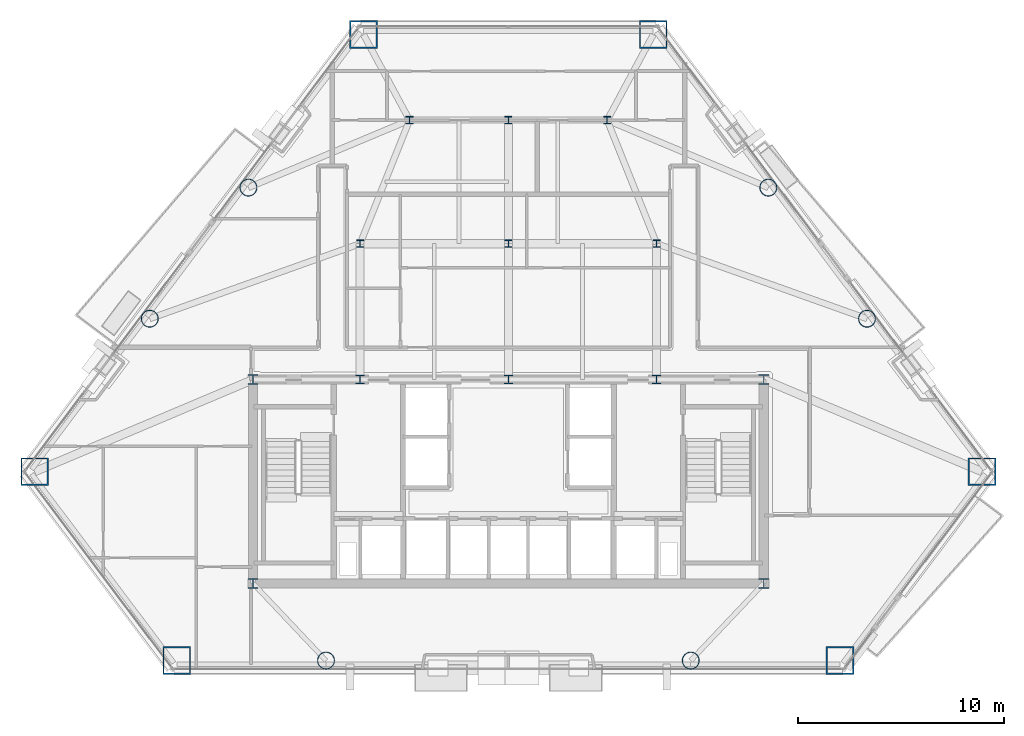
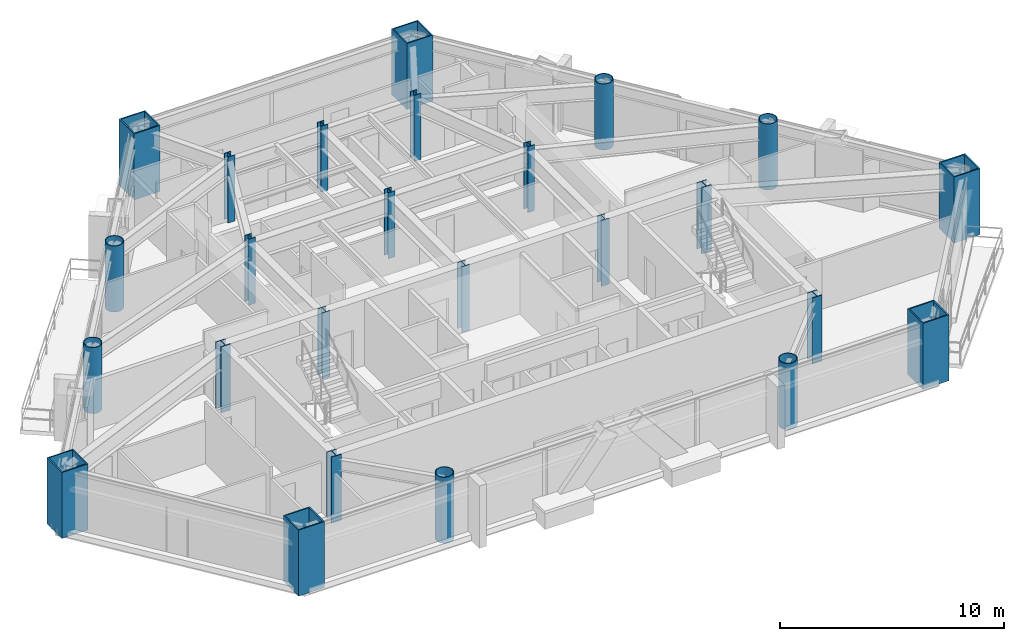
# One storey, part 1 of 11: 25 columns.
"""IFC4 building model written with IfcOpenShell, lengths in metres."""

from ifc_helpers import new_model, si_unit, direction, frame, origin, origin_2d, place, context, subcontext, project, spatial, hollow_rectangle, hollow_circle, i_section, extrude, material, material_profile, profile_set, type_object, element, save


model = new_model("IFC4")

# Units and contexts
model_context = context("Model", 3, precision=1e-05, world=origin(), true_north=direction((0.0, 1.0)))
body_context = subcontext(model_context, "Body", "Model", "MODEL_VIEW")
ifc_project = project(units=[si_unit("LENGTHUNIT", "METRE"), si_unit("AREAUNIT", "SQUARE_METRE"), si_unit("VOLUMEUNIT", "CUBIC_METRE"), si_unit("PLANEANGLEUNIT", "RADIAN"), si_unit("MASSUNIT", "GRAM", prefix="KILO")], contexts=[model_context])

# Site, building, storey
site_placement = place(None, origin())
site = spatial("IfcSite", under=ifc_project, at=site_placement, CompositionType="ELEMENT")
building_placement = place(site_placement, origin())
building = spatial("IfcBuilding", under=site, at=building_placement, Name="Talgorran Terracotta Tower", CompositionType="ELEMENT")
storey_placement = place(building_placement, frame((0.0, 0.0, 72.0)))
storey = spatial("IfcBuildingStorey", under=building, at=storey_placement, Name="L18", CompositionType="ELEMENT", Elevation=72.0)

# Columns
ifc_material_1 = material(Name="Steel S355 (300PLUS)", Category="steel")
ifc_material_profile_1 = material_profile(ifc_material_1, i_section(OverallWidth=0.35009765625, OverallDepth=0.366943359375, WebThickness=0.02490234375, FlangeThickness=0.031982421875, at=origin_2d()), Name="350WC258")
ifc_profile_set_1 = profile_set([ifc_material_profile_1], Name="Steel S355 (300PLUS)")
column_type_1 = type_object("IfcColumnType", Name="COL_350WC258", PredefinedType="COLUMN", material=ifc_profile_set_1)
for number, where, z_axis, x_axis, name in (
    (1, (-7.199951171875, 2.39990234375, 0.0), (0.0, 0.0, 1.0), (1.0, 0.0, 0.0), "L18 Interior Gravity Column IC1"),
    (2, (0.0, 2.39990234375, 0.0), (0.0, 0.0, 1.0), (1.0, 0.0, 0.0), "L18 Interior Gravity Column IC2"),
    (3, (7.199951171875, 2.39990234375, 0.0), (0.0, 0.0, 1.0), (1.0, 0.0, 0.0), "L18 Interior Gravity Column IC3"),
    (4, (-4.800048828125, 8.39990234375, 0.0), (0.0, 0.0, 1.0), (1.0, 0.0, 0.0), "L18 Interior Gravity Column IC4"),
    (5, (0.0, 8.39990234375, 0.0), (0.0, 0.0, 1.0), (1.0, 0.0, 0.0), "L18 Interior Gravity Column IC5"),
    (6, (4.800048828125, 8.39990234375, 0.0), (0.0, 0.0, 1.0), (1.0, 0.0, 0.0), "L18 Interior Gravity Column IC6"),
):
    element("IfcColumn", number, at=place(storey_placement, frame(where, z_axis=z_axis, x_axis=x_axis)), inside=storey, type_object=column_type_1, Name=name, PredefinedType="COLUMN", context=body_context, shape_type="SweptSolid", body=[
        extrude(i_section(OverallWidth=0.35009765625, OverallDepth=0.366943359375, WebThickness=0.02490234375, FlangeThickness=0.031982421875, at=origin_2d()), origin(), (0.0, 0.0, 1.0), 3.60009765625),
    ])
ifc_material_profile_2 = material_profile(ifc_material_1, i_section(OverallWidth=0.5, OverallDepth=0.48193359375, WebThickness=0.0400390625, FlangeThickness=0.044921875, at=origin_2d()), Name="500WC440")
ifc_profile_set_2 = profile_set([ifc_material_profile_2], Name="Steel S355 (300PLUS)")
column_type_2 = type_object("IfcColumnType", Name="COL_500WC440", PredefinedType="COLUMN", material=ifc_profile_set_2)
for number, where, z_axis, x_axis, name in (
    (7, (-12.39990234375, -14.10009765625, 0.0), (0.0, 0.0, 1.0), (1.0, 0.0, 0.0), "L18 Core Boundary Column CC1"),
    (8, (12.39990234375, -14.10009765625, 0.0), (0.0, 0.0, 1.0), (1.0, 0.0, 0.0), "L18 Core Boundary Column CC2"),
    (9, (12.39990234375, -4.199951171875, 0.0), (0.0, 0.0, 1.0), (1.0, 0.0, 0.0), "L18 Core Boundary Column CC3"),
    (10, (-12.39990234375, -4.199951171875, 0.0), (0.0, 0.0, 1.0), (1.0, 0.0, 0.0), "L18 Core Boundary Column CC4"),
):
    element("IfcColumn", number, at=place(storey_placement, frame(where, z_axis=z_axis, x_axis=x_axis)), inside=storey, type_object=column_type_2, Name=name, PredefinedType="COLUMN", context=body_context, shape_type="SweptSolid", body=[
        extrude(i_section(OverallWidth=0.5, OverallDepth=0.48193359375, WebThickness=0.0400390625, FlangeThickness=0.044921875, at=origin_2d()), origin(), (0.0, 0.0, 1.0), 3.60009765625),
    ])
ifc_material_2 = material(Name="Steel Grade 350 (350L0)", Category="steel")
ifc_material_profile_3 = material_profile(ifc_material_2, hollow_rectangle(XDim=1.35009765625, YDim=1.35009765625, WallThickness=0.06494140625, at=origin_2d()), Name="CFT1350X1350X65")
ifc_profile_set_3 = profile_set([ifc_material_profile_3], Name="Steel Grade 350 (350L0)")
column_type_3 = type_object("IfcColumnType", Name="COL_CFT_1350", PredefinedType="COLUMN", material=ifc_profile_set_3)
for number, where, z_axis, x_axis, name in (
    (11, (-23.005126953125, -8.6728515625, 0.0), (0.0, 0.0, 1.0), (1.0, 0.0, 0.0), "L18 Corner CFT Mega-Column MC1"),
    (12, (-16.1025390625, -17.8466796875, 0.0), (0.0, 0.0, 1.0), (1.0, 0.0, 0.0), "L18 Corner CFT Mega-Column MC2"),
    (13, (16.1025390625, -17.8466796875, 0.0), (0.0, 0.0, 1.0), (1.0, 0.0, 0.0), "L18 Corner CFT Mega-Column MC3"),
    (14, (23.005126953125, -8.6728515625, 0.0), (0.0, 0.0, 1.0), (1.0, 0.0, 0.0), "L18 Corner CFT Mega-Column MC4"),
    (15, (7.034423828125, 12.552734375, 0.0), (0.0, 0.0, 1.0), (1.0, 0.0, 0.0), "L18 Corner CFT Mega-Column MC5"),
    (16, (-7.034423828125, 12.552734375, 0.0), (0.0, 0.0, 1.0), (1.0, 0.0, 0.0), "L18 Corner CFT Mega-Column MC6"),
):
    element("IfcColumn", number, at=place(storey_placement, frame(where, z_axis=z_axis, x_axis=x_axis)), inside=storey, type_object=column_type_3, Name=name, PredefinedType="COLUMN", context=body_context, shape_type="SweptSolid", body=[
        extrude(hollow_rectangle(XDim=1.35009765625, YDim=1.35009765625, WallThickness=0.06494140625, at=origin_2d()), origin(), (0.0, 0.0, 1.0), 3.60009765625),
    ])
ifc_material_profile_4 = material_profile(ifc_material_2, hollow_circle(Radius=0.425048828125, WallThickness=0.0380859375, at=origin_2d()), Name="CHS850X38")
ifc_profile_set_4 = profile_set([ifc_material_profile_4], Name="Steel Grade 350 (350L0)")
column_type_4 = type_object("IfcColumnType", Name="COL_CHS_850", PredefinedType="COLUMN", material=ifc_profile_set_4)
for number, where, z_axis, x_axis, name in (
    (17, (-8.8564453125, -17.8466796875, 0.0), (0.0, 0.0, 1.0), (1.0, 0.0, 0.0), "L18 Facet Perimeter Column FC1"),
    (18, (8.8564453125, -17.8466796875, 0.0), (0.0, 0.0, 1.0), (1.0, 0.0, 0.0), "L18 Facet Perimeter Column FC2"),
    (19, (17.41552734375, -1.243896484375, 0.0), (0.0, 0.0, 1.0), (1.0, 0.0, 0.0), "L18 Facet Perimeter Column FC3"),
    (20, (12.624267578125, 5.123779296875, 0.0), (0.0, 0.0, 1.0), (1.0, 0.0, 0.0), "L18 Facet Perimeter Column FC4"),
    (21, (-12.624267578125, 5.123779296875, 0.0), (0.0, 0.0, 1.0), (1.0, 0.0, 0.0), "L18 Facet Perimeter Column FC5"),
    (22, (-17.41552734375, -1.243896484375, 0.0), (0.0, 0.0, 1.0), (1.0, 0.0, 0.0), "L18 Facet Perimeter Column FC6"),
):
    element("IfcColumn", number, at=place(storey_placement, frame(where, z_axis=z_axis, x_axis=x_axis)), inside=storey, type_object=column_type_4, Name=name, PredefinedType="COLUMN", context=body_context, shape_type="SweptSolid", body=[
        extrude(hollow_circle(Radius=0.425048828125, WallThickness=0.0380859375, at=origin_2d()), origin(), (0.0, 0.0, 1.0), 3.60009765625),
    ])
ifc_material_profile_5 = material_profile(ifc_material_1, i_section(OverallWidth=0.405029296875, OverallDepth=0.4140625, WebThickness=0.02197265625, FlangeThickness=0.031982421875, at=origin_2d()), Name="400WC270")
ifc_profile_set_5 = profile_set([ifc_material_profile_5], Name="Steel S355 (300PLUS)")
column_type_5 = type_object("IfcColumnType", Name="COL_PIL_400WC270", PredefinedType="PILASTER", material=ifc_profile_set_5)
for number, where, z_axis, x_axis, name in (
    (23, (-7.199951171875, -4.199951171875, 0.0), (0.0, 0.0, 1.0), (1.0, 0.0, 0.0), "L18 Core Shear Pilaster CP1"),
    (24, (0.0, -4.199951171875, 0.0), (0.0, 0.0, 1.0), (1.0, 0.0, 0.0), "L18 Core Shear Pilaster CP2"),
    (25, (7.199951171875, -4.199951171875, 0.0), (0.0, 0.0, 1.0), (1.0, 0.0, 0.0), "L18 Core Shear Pilaster CP3"),
):
    element("IfcColumn", number, at=place(storey_placement, frame(where, z_axis=z_axis, x_axis=x_axis)), inside=storey, type_object=column_type_5, Name=name, PredefinedType="PILASTER", context=body_context, shape_type="SweptSolid", body=[
        extrude(i_section(OverallWidth=0.405029296875, OverallDepth=0.4140625, WebThickness=0.02197265625, FlangeThickness=0.031982421875, at=origin_2d()), origin(), (0.0, 0.0, 1.0), 3.60009765625),
    ])

save(model, "model.ifc")
